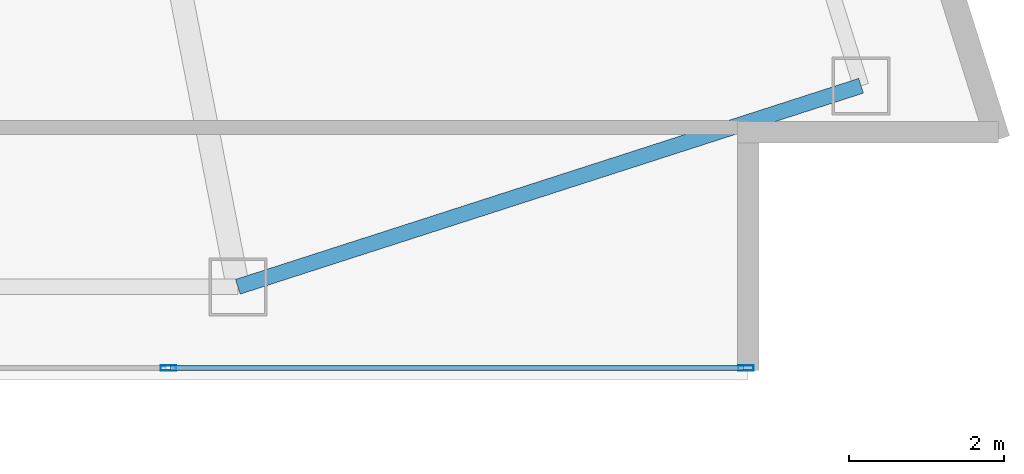
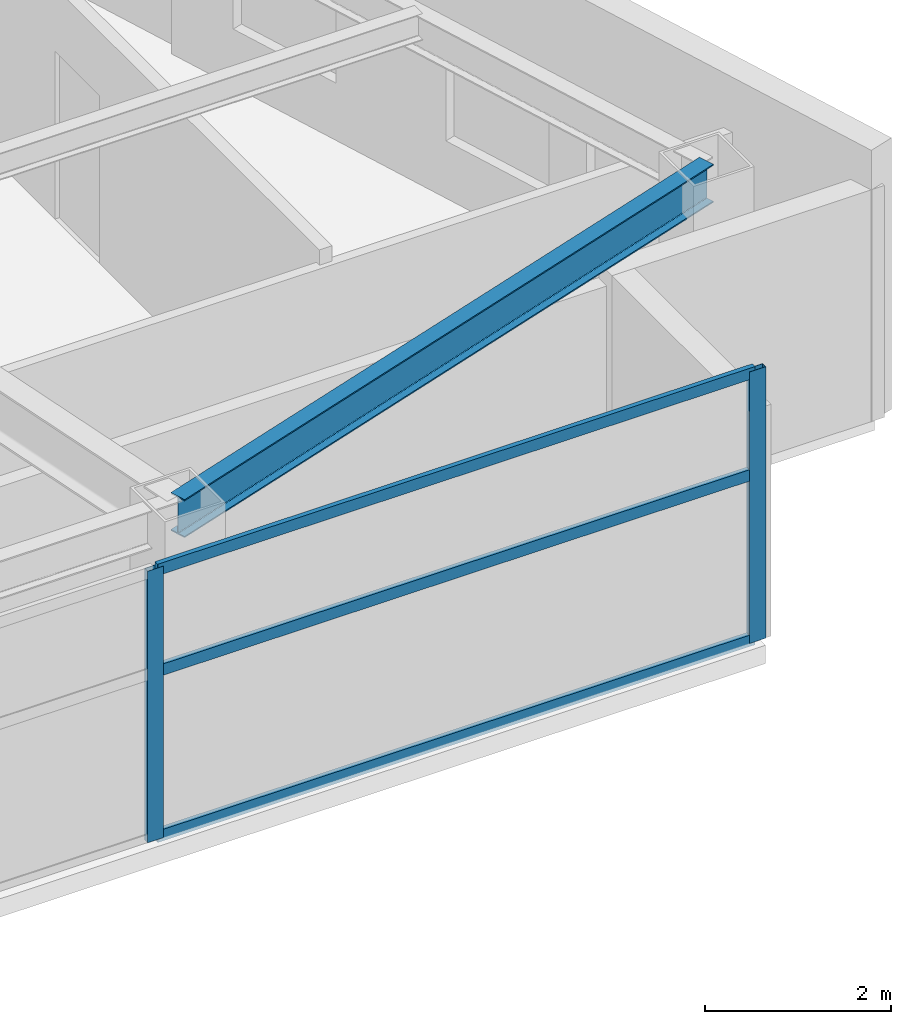
# One storey, part 14 of 28: 5 members, 1 beam, 1 element without a shape of its own.
"""IFC4 building model written with IfcOpenShell, lengths in metres."""

from ifc_helpers import new_model, si_unit, direction, frame, origin, origin_2d, place, context, subcontext, project, spatial, hollow_rectangle, i_section, extrude, material, layer, layer_set, material_profile, profile_set, type_object, element, aggregate, save


model = new_model("IFC4")

# Units and contexts
model_context = context("Model", 3, precision=1e-05, world=origin(), true_north=direction((0.0, 1.0)))
body_context = subcontext(model_context, "Body", "Model", "MODEL_VIEW")
ifc_project = project(units=[si_unit("LENGTHUNIT", "METRE"), si_unit("AREAUNIT", "SQUARE_METRE"), si_unit("VOLUMEUNIT", "CUBIC_METRE"), si_unit("PLANEANGLEUNIT", "RADIAN"), si_unit("MASSUNIT", "GRAM", prefix="KILO")], contexts=[model_context])

# Site, building, storey
site_placement = place(None, origin())
site = spatial("IfcSite", under=ifc_project, at=site_placement, CompositionType="ELEMENT")
building_placement = place(site_placement, origin())
building = spatial("IfcBuilding", under=site, at=building_placement, Name="Calvorn Quay Hotel", CompositionType="ELEMENT")
storey_placement = place(building_placement, frame((0.0, 0.0, 131.60009765625)))
storey = spatial("IfcBuildingStorey", under=building, at=storey_placement, Name="L32", CompositionType="ELEMENT", Elevation=131.60009765625)

# Beam
ifc_material_1 = material(Name="Steel Q355B", Category="steel")
ifc_material_profile_1 = material_profile(ifc_material_1, i_section(OverallWidth=0.199951171875, OverallDepth=0.5, WebThickness=0.010009765625, FlangeThickness=0.01611328125, FilletRadius=0.01611328125, at=origin_2d()), Name="HN500x200x10x16")
ifc_profile_set_1 = profile_set([ifc_material_profile_1], Name="Steel Q355B")
beam_type = type_object("IfcBeamType", Name="BM-SPANDREL-Z1", PredefinedType="SPANDREL", material=ifc_profile_set_1)
beam_placement = place(storey_placement, frame((49.39990234375, 3.60009765625, 3.289794921875), z_axis=(0.951725188386, 0.306951406237, 0.0), x_axis=(-0.306951406237, 0.951725188386, 0.0)))
element("IfcBeam", 1, at=beam_placement, inside=storey, type_object=beam_type, Name="Beam BSP-L32-S6", PredefinedType="SPANDREL", context=body_context, shape_type="SweptSolid", body=[
    extrude(i_section(OverallWidth=0.199951171875, OverallDepth=0.5, WebThickness=0.010009765625, FlangeThickness=0.01611328125, FilletRadius=0.01611328125, at=origin_2d()), origin(), (0.0, 0.0, 1.0), 8.469970703125),
])

# Curtain wall, members
ifc_material_2 = material(Name="Pale Anodised Aluminium and Low-E Glass", Category="aluminium")
ifc_layer = layer(ifc_material_2, 0.219970703125)
ifc_layer_set = layer_set([ifc_layer], Name="CW-SYS-Z2")
curtain_wall_type = type_object("IfcCurtainWallType", Name="CW-SYS-Z2", PredefinedType="NOTDEFINED", material=ifc_layer_set)
curtain_wall_placement = place(storey_placement, origin())
curtain_wall = element("IfcCurtainWall", 2, at=curtain_wall_placement, inside=storey, type_object=curtain_wall_type, Name="Tower South Waterfront Curtain Wall (L32)", PredefinedType="NOTDEFINED")
ifc_material_3 = material(Name="Pale Anodised Aluminium 6063-T6", Category="aluminium")
ifc_material_profile_2 = material_profile(ifc_material_3, hollow_rectangle(XDim=0.070068359375, YDim=0.199951171875, WallThickness=0.00390625, at=origin_2d()), Name="ALU-M200x70x4")
ifc_profile_set_2 = profile_set([ifc_material_profile_2], Name="Pale Anodised Aluminium 6063-T6")
member_type_1 = type_object("IfcMemberType", Name="CW-SYS-Z2-MUL", PredefinedType="MULLION", material=ifc_profile_set_2)
member_1_placement = place(storey_placement, frame((48.5, 2.550048828125, 0.0), z_axis=(0.0, 0.0, 1.0), x_axis=(0.0, 1.0, 0.0)))
member_1 = element("IfcMember", 3, at=member_1_placement, type_object=member_type_1, Name="CW-L32-S mullion 6", PredefinedType="MULLION", context=body_context, shape_type="SweptSolid", body=[
    extrude(hollow_rectangle(XDim=0.070068359375, YDim=0.199951171875, WallThickness=0.00390625, at=origin_2d()), origin(), (0.0, 0.0, 1.0), 3.559814453125),
])
member_2_placement = place(storey_placement, frame((55.969970703125, 2.550048828125, 0.0), z_axis=(0.0, 0.0, 1.0), x_axis=(0.0, 1.0, 0.0)))
member_2 = element("IfcMember", 4, at=member_2_placement, type_object=member_type_1, Name="CW-L32-S mullion 7", PredefinedType="MULLION", context=body_context, shape_type="SweptSolid", body=[
    extrude(hollow_rectangle(XDim=0.070068359375, YDim=0.199951171875, WallThickness=0.00390625, at=origin_2d()), origin(), (0.0, 0.0, 1.0), 3.559814453125),
])
ifc_material_4 = material(Name="Pale Anodised Aluminium 6063-T6", Category="aluminium")
ifc_material_profile_3 = material_profile(ifc_material_4, hollow_rectangle(XDim=0.06005859375, YDim=0.14990234375, WallThickness=0.00341796875, at=origin_2d()), Name="ALU-T150x60x3.5")
ifc_profile_set_3 = profile_set([ifc_material_profile_3], Name="Pale Anodised Aluminium 6063-T6")
member_type_2 = type_object("IfcMemberType", Name="CW-SYS-Z2-TRN", PredefinedType="USERDEFINED", material=ifc_profile_set_3)
member_3_placement = place(storey_placement, frame((48.530029296875, 2.550048828125, 0.02978515625), z_axis=(1.0, 0.0, 0.0), x_axis=(0.0, 1.0, 0.0)))
member_3 = element("IfcMember", 5, at=member_3_placement, type_object=member_type_2, Name="CW-L32-S transom 6.1", ObjectType="TRANSOM", PredefinedType="USERDEFINED", context=body_context, shape_type="SweptSolid", body=[
    extrude(hollow_rectangle(XDim=0.06005859375, YDim=0.14990234375, WallThickness=0.00341796875, at=origin_2d()), origin(), (0.0, 0.0, 1.0), 7.409912109375),
])
member_4_placement = place(storey_placement, frame((48.530029296875, 2.550048828125, 2.199951171875), z_axis=(1.0, 0.0, 0.0), x_axis=(0.0, 1.0, 0.0)))
member_4 = element("IfcMember", 6, at=member_4_placement, type_object=member_type_2, Name="CW-L32-S transom 6.2", ObjectType="TRANSOM", PredefinedType="USERDEFINED", context=body_context, shape_type="SweptSolid", body=[
    extrude(hollow_rectangle(XDim=0.06005859375, YDim=0.14990234375, WallThickness=0.00341796875, at=origin_2d()), origin(), (0.0, 0.0, 1.0), 7.409912109375),
])
member_5_placement = place(storey_placement, frame((48.530029296875, 2.550048828125, 3.52978515625), z_axis=(1.0, 0.0, 0.0), x_axis=(0.0, 1.0, 0.0)))
member_5 = element("IfcMember", 7, at=member_5_placement, type_object=member_type_2, Name="CW-L32-S transom 6.3", ObjectType="TRANSOM", PredefinedType="USERDEFINED", context=body_context, shape_type="SweptSolid", body=[
    extrude(hollow_rectangle(XDim=0.06005859375, YDim=0.14990234375, WallThickness=0.00341796875, at=origin_2d()), origin(), (0.0, 0.0, 1.0), 7.409912109375),
])
aggregate(curtain_wall, [member_1, member_2, member_3, member_4, member_5])

save(model, "model.ifc")
